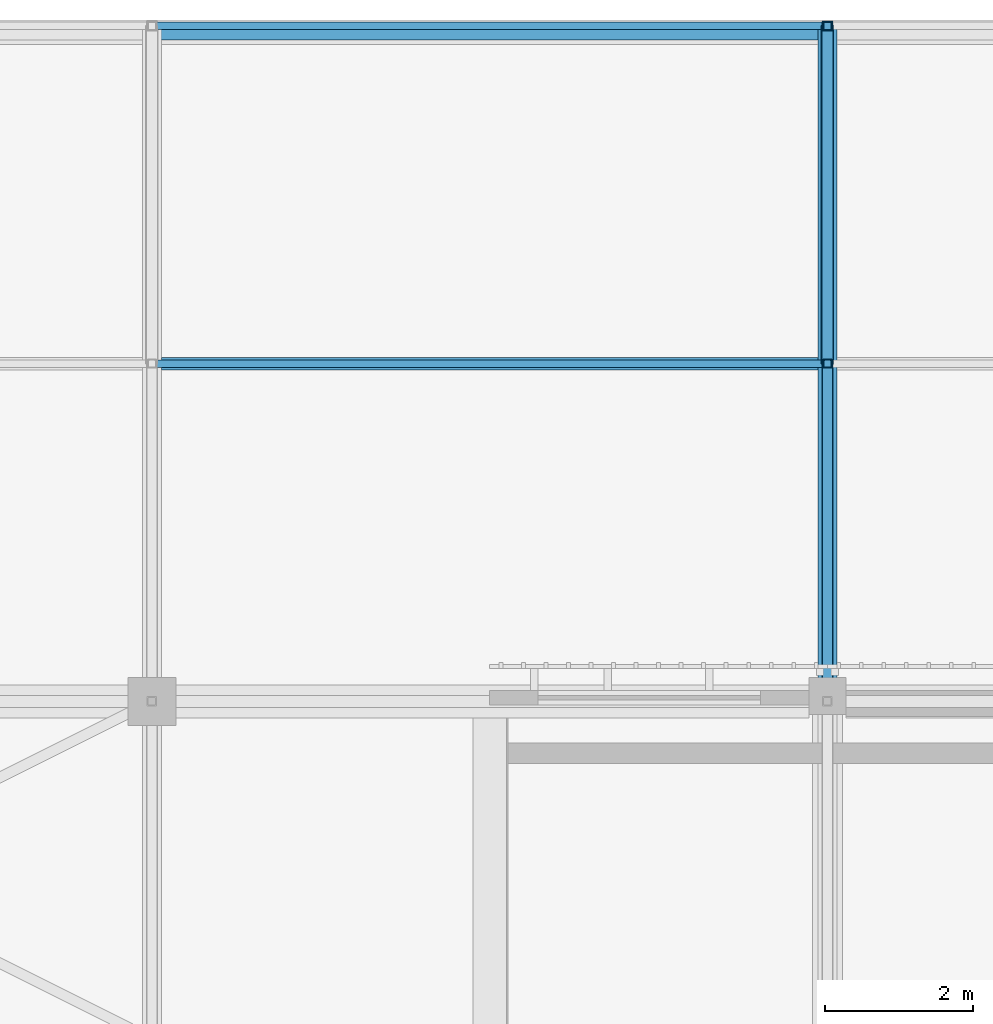
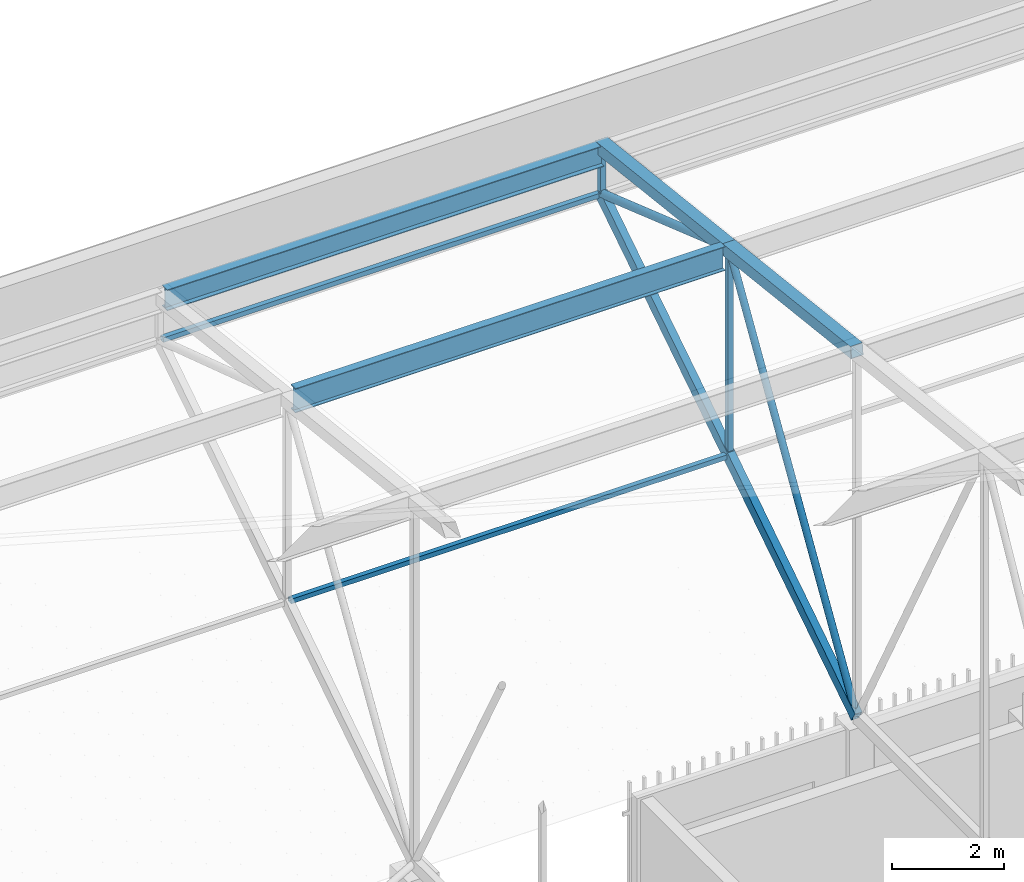
# One storey, part 325 of 500: 12 members.
"""IFC4 building model written with IfcOpenShell, lengths in metres."""

from ifc_helpers import new_model, si_unit, direction, frame, origin, origin_2d, place, context, subcontext, project, spatial, hollow_rectangle, hollow_circle, i_section, extrude, material, material_profile, profile_set, type_object, element, save


model = new_model("IFC4")

# Units and contexts
model_context = context("Model", 3, precision=1e-05, world=origin(), true_north=direction((0.0, 1.0)))
body_context = subcontext(model_context, "Body", "Model", "MODEL_VIEW")
ifc_project = project(units=[si_unit("LENGTHUNIT", "METRE"), si_unit("AREAUNIT", "SQUARE_METRE"), si_unit("VOLUMEUNIT", "CUBIC_METRE"), si_unit("PLANEANGLEUNIT", "RADIAN"), si_unit("MASSUNIT", "GRAM", prefix="KILO")], contexts=[model_context])

# Site, building, storey
site_placement = place(None, origin())
site = spatial("IfcSite", under=ifc_project, at=site_placement, CompositionType="ELEMENT")
building_placement = place(site_placement, origin())
building = spatial("IfcBuilding", under=site, at=building_placement, Name="Shirokan Park Arena", CompositionType="ELEMENT")
storey_placement = place(building_placement, frame((0.0, 0.0, 29.1201171875)))
storey = spatial("IfcBuildingStorey", under=building, at=storey_placement, Name="L06", CompositionType="ELEMENT", Elevation=29.1201171875)

# Members
ifc_material_1 = material(Name="Steel ASTM A500 Grade C", Category="steel")
ifc_material_profile_1 = material_profile(ifc_material_1, hollow_rectangle(XDim=0.152099609375, YDim=0.25390625, WallThickness=0.009521484375, at=origin_2d()), Name="HSS254X152.4X9.5")
ifc_profile_set_1 = profile_set([ifc_material_profile_1], Name="Steel ASTM A500 Grade C")
member_type_1 = type_object("IfcMemberType", Name="Bottom chord HSS254X152.4X9.5", PredefinedType="CHORD", material=ifc_profile_set_1)
for number, where, z_axis, x_axis, name in (
    (1, (109.199951171875, 109.199951171875, 4.677001953125), (0.0, 0.840971691661, 0.541079119746), (-1.0, 0.0, 0.0), "Truss T13 bottom chord 27"),
    (2, (109.199951171875, 113.75, 7.6044921875), (0.0, 0.840971691661, 0.541079119746), (-1.0, 0.0, 0.0), "Truss T13 bottom chord 28"),
):
    element("IfcMember", number, at=place(storey_placement, frame(where, z_axis=z_axis, x_axis=x_axis)), inside=storey, type_object=member_type_1, Name=name, PredefinedType="CHORD", context=body_context, shape_type="SweptSolid", body=[
        extrude(hollow_rectangle(XDim=0.152099609375, YDim=0.25390625, WallThickness=0.009521484375, at=origin_2d()), origin(), (0.0, 0.0, 1.0), 5.410400390625),
    ])
ifc_material_profile_2 = material_profile(ifc_material_1, hollow_rectangle(XDim=0.10205078125, YDim=0.10205078125, WallThickness=0.00634765625, at=origin_2d()), Name="HSS101.6X101.6X6.4")
ifc_profile_set_2 = profile_set([ifc_material_profile_2], Name="Steel ASTM A500 Grade C")
member_type_2 = type_object("IfcMemberType", Name="Eave soffit rail HSS101.6X101.6X6.4", PredefinedType="USERDEFINED", material=ifc_profile_set_2)
for number, where, z_axis, x_axis, name in (
    (3, (100.156982421875, 118.300048828125, 10.531982421875), (1.0, 0.0, 0.0), (0.0, 1.0, 0.0), "Eave soffit rail N 29 bay 12"),
    (4, (100.156982421875, 113.75, 7.6044921875), (1.0, 0.0, 0.0), (0.0, 1.0, 0.0), "Eave soffit rail N 28 bay 12"),
):
    element("IfcMember", number, at=place(storey_placement, frame(where, z_axis=z_axis, x_axis=x_axis)), inside=storey, type_object=member_type_2, Name=name, ObjectType="EAVE SOFFIT RAIL", PredefinedType="USERDEFINED", context=body_context, shape_type="SweptSolid", body=[
        extrude(hollow_rectangle(XDim=0.10205078125, YDim=0.10205078125, WallThickness=0.00634765625, at=origin_2d()), origin(), (0.0, 0.0, 1.0), 8.986083984375),
    ])
ifc_material_2 = material(Name="Steel ASTM A992", Category="steel")
ifc_material_profile_3 = material_profile(ifc_material_2, i_section(OverallWidth=0.166015625, OverallDepth=0.528076171875, WebThickness=0.009765625, FlangeThickness=0.013671875, at=origin_2d()), Name="W530X74")
ifc_profile_set_3 = profile_set([ifc_material_profile_3], Name="Steel ASTM A992")
member_type_3 = type_object("IfcMemberType", Name="Purlin W530X74", PredefinedType="PURLIN", material=ifc_profile_set_3)
member_1_placement = place(storey_placement, frame((100.22705078125, 113.75, 11.9658203125), z_axis=(1.0, 0.0, 0.0), x_axis=(0.0, 1.0, 0.0)))
element("IfcMember", 5, at=member_1_placement, inside=storey, type_object=member_type_3, Name="Purlin 28 bay 12", PredefinedType="PURLIN", context=body_context, shape_type="SweptSolid", body=[
    extrude(i_section(OverallWidth=0.166015625, OverallDepth=0.528076171875, WebThickness=0.009765625, FlangeThickness=0.013671875, at=origin_2d()), origin(), (0.0, 0.0, 1.0), 8.845947265625),
])
ifc_material_profile_4 = material_profile(ifc_material_2, i_section(OverallWidth=0.19091796875, OverallDepth=0.45703125, WebThickness=0.009033203125, FlangeThickness=0.014404296875, at=origin_2d()), Name="W460X74")
ifc_profile_set_4 = profile_set([ifc_material_profile_4], Name="Steel ASTM A992")
member_type_4 = type_object("IfcMemberType", Name="Roof edge beam W460X74", PredefinedType="USERDEFINED", material=ifc_profile_set_4)
member_2_placement = place(storey_placement, frame((100.156982421875, 118.20458984375, 11.4814453125), z_axis=(1.0, 0.0, 0.0), x_axis=(0.0, 1.0, 0.0)))
element("IfcMember", 6, at=member_2_placement, inside=storey, type_object=member_type_4, Name="Roof edge beam N 13", ObjectType="ROOF EDGE BEAM", PredefinedType="USERDEFINED", context=body_context, shape_type="SweptSolid", body=[
    extrude(i_section(OverallWidth=0.19091796875, OverallDepth=0.45703125, WebThickness=0.009033203125, FlangeThickness=0.014404296875, at=origin_2d()), origin(), (0.0, 0.0, 1.0), 8.986083984375),
])
ifc_material_profile_5 = material_profile(ifc_material_1, hollow_rectangle(XDim=0.25390625, YDim=0.25390625, WallThickness=0.009521484375, at=origin_2d()), Name="HSS254X254X9.5")
ifc_profile_set_5 = profile_set([ifc_material_profile_5], Name="Steel ASTM A500 Grade C")
member_type_5 = type_object("IfcMemberType", Name="Top chord HSS254X254X9.5", PredefinedType="CHORD", material=ifc_profile_set_5)
for number, where, z_axis, x_axis, name in (
    (7, (109.199951171875, 109.199951171875, 12.622802734375), (0.0, 0.993532328996, -0.113549598152), (-1.0, 0.0, 0.0), "Truss T13 top chord 27"),
    (8, (109.199951171875, 113.75, 12.102783203125), (0.0, 0.993532328996, -0.113549598152), (-1.0, 0.0, 0.0), "Truss T13 top chord 28"),
):
    element("IfcMember", number, at=place(storey_placement, frame(where, z_axis=z_axis, x_axis=x_axis)), inside=storey, type_object=member_type_5, Name=name, PredefinedType="CHORD", context=body_context, shape_type="SweptSolid", body=[
        extrude(hollow_rectangle(XDim=0.25390625, YDim=0.25390625, WallThickness=0.009521484375, at=origin_2d()), origin(), (0.0, 0.0, 1.0), 4.57958984375),
    ])
ifc_material_profile_6 = material_profile(ifc_material_1, hollow_circle(Radius=0.070556640625, WallThickness=0.006591796875, at=origin_2d()), Name="HSS141.3X6.6")
ifc_profile_set_6 = profile_set([ifc_material_profile_6], Name="Steel ASTM A500 Grade C")
member_type_6 = type_object("IfcMemberType", Name="Truss diagonal HSS141.3X6.6", PredefinedType="BRACE", material=ifc_profile_set_6)
member_3_placement = place(storey_placement, frame((109.199951171875, 109.199951171875, 4.677001953125), z_axis=(0.0, 0.522458847856, 0.852664501605), x_axis=(-1.0, 0.0, 0.0)))
element("IfcMember", 9, at=member_3_placement, inside=storey, type_object=member_type_6, Name="Truss T13 diagonal 27", PredefinedType="BRACE", context=body_context, shape_type="SweptSolid", body=[
    extrude(hollow_circle(Radius=0.070556640625, WallThickness=0.006591796875, at=origin_2d()), origin(), (0.0, 0.0, 1.0), 8.708984375),
])
ifc_material_profile_7 = material_profile(ifc_material_1, hollow_circle(Radius=0.083984375, WallThickness=0.009521484375, at=origin_2d()), Name="HSS168.3X9.5")
ifc_profile_set_7 = profile_set([ifc_material_profile_7], Name="Steel ASTM A500 Grade C")
member_type_7 = type_object("IfcMemberType", Name="Truss diagonal HSS168.3X9.5", PredefinedType="BRACE", material=ifc_profile_set_7)
member_4_placement = place(storey_placement, frame((109.199951171875, 113.75, 12.102783203125), z_axis=(0.0, 0.945256498603, -0.326328288459), x_axis=(-1.0, 0.0, 0.0)))
element("IfcMember", 10, at=member_4_placement, inside=storey, type_object=member_type_7, Name="Truss T13 diagonal 28", PredefinedType="BRACE", context=body_context, shape_type="SweptSolid", body=[
    extrude(hollow_circle(Radius=0.083984375, WallThickness=0.009521484375, at=origin_2d()), origin(), (0.0, 0.0, 1.0), 4.8134765625),
])
ifc_material_profile_8 = material_profile(ifc_material_1, hollow_rectangle(XDim=0.114013671875, YDim=0.114013671875, WallThickness=0.00634765625, at=origin_2d()), Name="HSS114.3X114.3X6.4")
ifc_profile_set_8 = profile_set([ifc_material_profile_8], Name="Steel ASTM A500 Grade C")
member_type_8 = type_object("IfcMemberType", Name="Truss post HSS114.3X114.3X6.4", PredefinedType="POST", material=ifc_profile_set_8)
member_5_placement = place(storey_placement, frame((109.199951171875, 113.75, 7.6044921875), z_axis=(0.0, 0.0, 1.0), x_axis=(1.0, 0.0, 0.0)))
element("IfcMember", 11, at=member_5_placement, inside=storey, type_object=member_type_8, Name="Truss T13 post 28", PredefinedType="POST", context=body_context, shape_type="SweptSolid", body=[
    extrude(hollow_rectangle(XDim=0.114013671875, YDim=0.114013671875, WallThickness=0.00634765625, at=origin_2d()), origin(), (0.0, 0.0, 1.0), 4.498291015625),
])
member_6_placement = place(storey_placement, frame((109.199951171875, 118.300048828125, 10.531982421875), z_axis=(0.0, 0.0, 1.0), x_axis=(1.0, 0.0, 0.0)))
element("IfcMember", 12, at=member_6_placement, inside=storey, type_object=member_type_8, Name="Truss T13 post 29", PredefinedType="POST", context=body_context, shape_type="SweptSolid", body=[
    extrude(hollow_rectangle(XDim=0.114013671875, YDim=0.114013671875, WallThickness=0.00634765625, at=origin_2d()), origin(), (0.0, 0.0, 1.0), 1.05078125),
])

save(model, "model.ifc")
